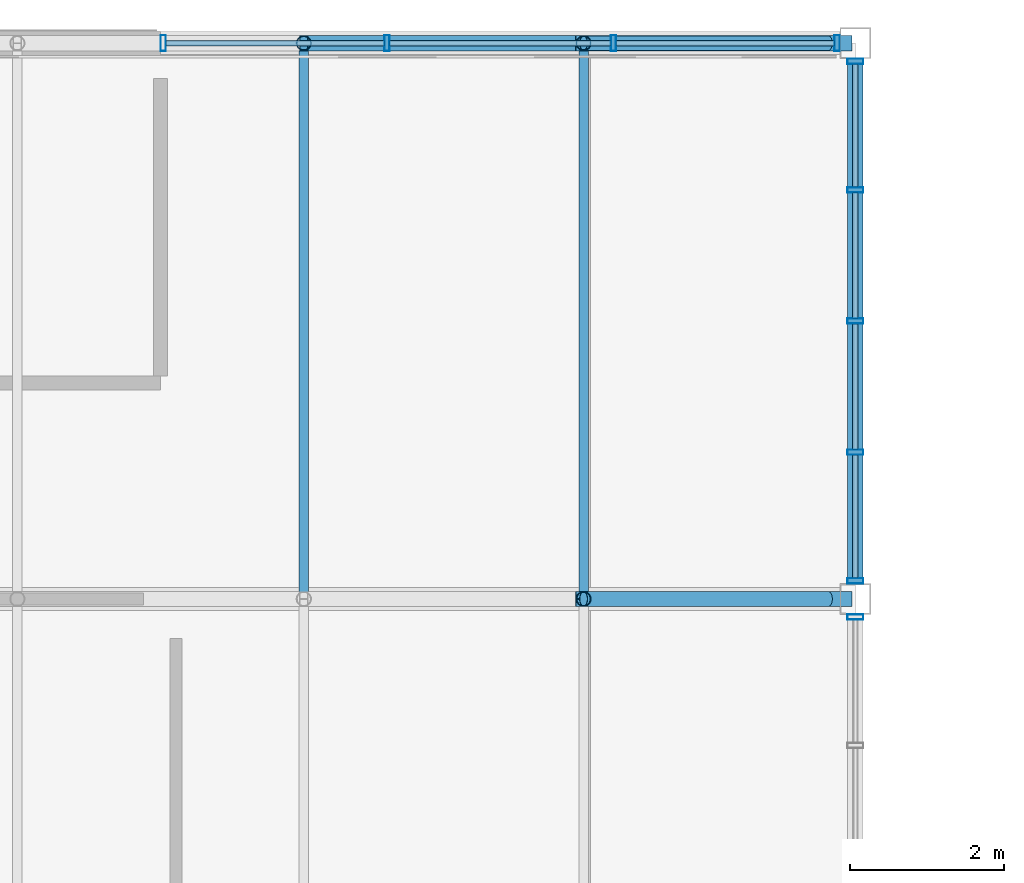
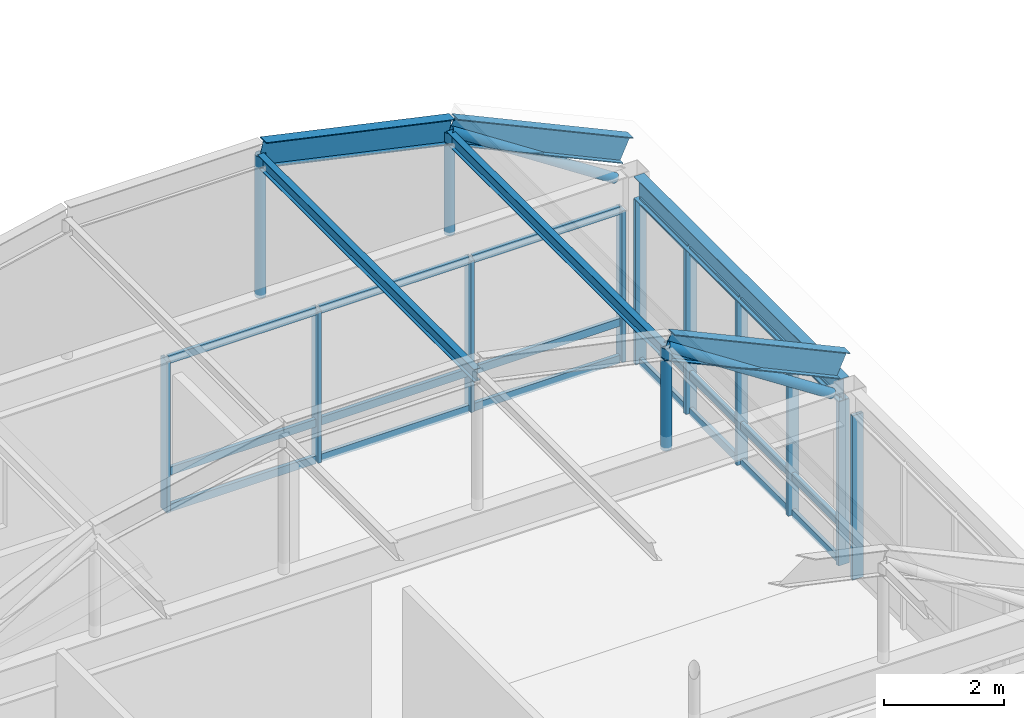
# One storey, part 69 of 106: 41 members, 1 beam, 3 elements without a shape of their own.
"""IFC4 building model written with IfcOpenShell, lengths in metres."""

from ifc_helpers import new_model, si_unit, direction, frame, origin, origin_2d, place, context, subcontext, project, spatial, hollow_rectangle, hollow_circle, i_section, extrude, material, material_profile, profile_set, type_object, element, aggregate, save


model = new_model("IFC4")

# Units and contexts
model_context = context("Model", 3, precision=1e-05, world=origin(), true_north=direction((0.0, 1.0)))
body_context = subcontext(model_context, "Body", "Model", "MODEL_VIEW")
ifc_project = project(units=[si_unit("LENGTHUNIT", "METRE"), si_unit("AREAUNIT", "SQUARE_METRE"), si_unit("VOLUMEUNIT", "CUBIC_METRE"), si_unit("PLANEANGLEUNIT", "RADIAN"), si_unit("MASSUNIT", "GRAM", prefix="KILO")], contexts=[model_context])

# Site, building, storey
site_placement = place(None, origin())
site = spatial("IfcSite", under=ifc_project, at=site_placement, CompositionType="ELEMENT")
building_placement = place(site_placement, origin())
building = spatial("IfcBuilding", under=site, at=building_placement, Name="Kazanami Central Library", CompositionType="ELEMENT")
storey_placement = place(building_placement, frame((0.0, 0.0, 12.800048828125)))
storey = spatial("IfcBuildingStorey", under=building, at=storey_placement, Name="L04", CompositionType="ELEMENT", Elevation=12.800048828125)

# Beam
ifc_material_1 = material(Name="Steel SN490B (325 MPa)", Category="steel")
ifc_material_profile_1 = material_profile(ifc_material_1, i_section(OverallWidth=0.199951171875, OverallDepth=0.449951171875, WebThickness=0.009033203125, FlangeThickness=0.013916015625, at=origin_2d()), Name="H-450x200x9x14")
ifc_profile_set_1 = profile_set([ifc_material_profile_1], Name="Steel SN490B (325 MPa)")
beam_type = type_object("IfcBeamType", Name="BM-SP-2", PredefinedType="SPANDREL", material=ifc_profile_set_1)
beam_placement = place(storey_placement, frame((108.0, 86.597900390625, 3.554931640625), z_axis=(0.0, 1.0, 0.0), x_axis=(-1.0, 0.0, 0.0)))
element("IfcBeam", 1, at=beam_placement, inside=storey, type_object=beam_type, Name="Girder SP-2 L04 13/N-O", PredefinedType="SPANDREL", context=body_context, shape_type="SweptSolid", body=[
    extrude(i_section(OverallWidth=0.199951171875, OverallDepth=0.449951171875, WebThickness=0.009033203125, FlangeThickness=0.013916015625, at=origin_2d()), origin(), (0.0, 0.0, 1.0), 6.80419921875),
])

# Members
ifc_material_profile_2 = material_profile(ifc_material_1, i_section(OverallWidth=0.199951171875, OverallDepth=0.5, WebThickness=0.010009765625, FlangeThickness=0.01611328125, at=origin_2d()), Name="H-500x200x10x16")
ifc_profile_set_2 = profile_set([ifc_material_profile_2], Name="Steel SN490B (325 MPa)")
member_type_1 = type_object("IfcMemberType", Name="MEM-AR-02", PredefinedType="CHORD", material=ifc_profile_set_2)
for number, where, z_axis, x_axis, name in (
    (2, (104.480224609375, 86.39990234375, 5.80908203125), (0.908074880538, 0.0, -0.41880784536), (0.0, 1.0, 0.0), "Barrel Vault Arch Rib AR-02 VAULT-EAST Grid N Seg 5"),
    (3, (100.85546875, 93.60009765625, 6.604736328125), (0.976745687277, 0.0, -0.214401171606), (0.0, 1.0, 0.0), "Barrel Vault Arch Rib AR-02 VAULT-EAST Grid O Seg 4"),
    (4, (104.480224609375, 93.60009765625, 5.80908203125), (0.908074880538, 0.0, -0.41880784536), (0.0, 1.0, 0.0), "Barrel Vault Arch Rib AR-02 VAULT-EAST Grid O Seg 5"),
):
    element("IfcMember", number, at=place(storey_placement, frame(where, z_axis=z_axis, x_axis=x_axis)), inside=storey, type_object=member_type_1, Name=name, PredefinedType="CHORD", context=body_context, shape_type="SweptSolid", body=[
        extrude(i_section(OverallWidth=0.199951171875, OverallDepth=0.5, WebThickness=0.010009765625, FlangeThickness=0.01611328125, at=origin_2d()), origin(), (0.0, 0.0, 1.0), 3.7109375),
    ])

# Curtain wall, members
ifc_material_2 = material(Name="Acid-Etched Low-E Laminated Glass", Category="glass")
curtain_wall_type_1 = type_object("IfcCurtainWallType", Name="CW-8800x3080-M275", PredefinedType="USERDEFINED", material=ifc_material_2)
curtain_wall_1_placement = place(storey_placement, origin())
curtain_wall_1 = element("IfcCurtainWall", 5, at=curtain_wall_1_placement, inside=storey, type_object=curtain_wall_type_1, Name="Unitised Curtain Wall CW-42 L04 N-O-11", ObjectType="UNITISED CURTAIN WALL", PredefinedType="USERDEFINED")
ifc_material_3 = material(Name="Anodised Aluminium A6063-T5", Category="aluminium")
ifc_material_profile_3 = material_profile(ifc_material_3, hollow_rectangle(XDim=0.070068359375, YDim=0.2099609375, WallThickness=0.0048828125, at=origin_2d()), Name="ALU-MULL-70x210x5")
ifc_profile_set_3 = profile_set([ifc_material_profile_3], Name="Anodised Aluminium A6063-T5")
member_type_2 = type_object("IfcMemberType", Name="MEM-CW-M1", PredefinedType="MULLION", material=ifc_profile_set_3)
member_1_placement = place(storey_placement, frame((107.764892578125, 93.60009765625, 0.0), z_axis=(0.0, 0.0, 1.0), x_axis=(-1.0, 0.0, 0.0)))
member_1 = element("IfcMember", 6, at=member_1_placement, type_object=member_type_2, Name="CW-42 mullion 1", PredefinedType="MULLION", context=body_context, shape_type="SweptSolid", body=[
    extrude(hollow_rectangle(XDim=0.070068359375, YDim=0.2099609375, WallThickness=0.0048828125, at=origin_2d()), origin(), (0.0, 0.0, 1.0), 3.079833984375),
])
member_2_placement = place(storey_placement, frame((104.86669921875, 93.60009765625, 0.0), z_axis=(0.0, 0.0, 1.0), x_axis=(-1.0, 0.0, 0.0)))
member_2 = element("IfcMember", 7, at=member_2_placement, type_object=member_type_2, Name="CW-42 mullion 2", PredefinedType="MULLION", context=body_context, shape_type="SweptSolid", body=[
    extrude(hollow_rectangle(XDim=0.070068359375, YDim=0.2099609375, WallThickness=0.0048828125, at=origin_2d()), origin(), (0.0, 0.0, 1.0), 3.079833984375),
])
member_3_placement = place(storey_placement, frame((101.933349609375, 93.60009765625, 0.0), z_axis=(0.0, 0.0, 1.0), x_axis=(-1.0, 0.0, 0.0)))
member_3 = element("IfcMember", 8, at=member_3_placement, type_object=member_type_2, Name="CW-42 mullion 3", PredefinedType="MULLION", context=body_context, shape_type="SweptSolid", body=[
    extrude(hollow_rectangle(XDim=0.070068359375, YDim=0.2099609375, WallThickness=0.0048828125, at=origin_2d()), origin(), (0.0, 0.0, 1.0), 3.079833984375),
])
member_4_placement = place(storey_placement, frame((99.034912109375, 93.60009765625, 0.0), z_axis=(0.0, 0.0, 1.0), x_axis=(-1.0, 0.0, 0.0)))
member_4 = element("IfcMember", 9, at=member_4_placement, type_object=member_type_2, Name="CW-42 mullion 4", PredefinedType="MULLION", context=body_context, shape_type="SweptSolid", body=[
    extrude(hollow_rectangle(XDim=0.070068359375, YDim=0.2099609375, WallThickness=0.0048828125, at=origin_2d()), origin(), (0.0, 0.0, 1.0), 3.079833984375),
])

# Curtain wall, member
curtain_wall_type_2 = type_object("IfcCurtainWallType", Name="CW-6800x3330-M180", PredefinedType="USERDEFINED", material=ifc_material_2)
curtain_wall_2_placement = place(storey_placement, origin())
curtain_wall_2 = element("IfcCurtainWall", 10, at=curtain_wall_2_placement, inside=storey, type_object=curtain_wall_type_2, Name="Covered Link Bridge Curtain Wall CW-44 L04 E-13-11", ObjectType="UNITISED CURTAIN WALL", PredefinedType="USERDEFINED")
member_5_placement = place(storey_placement, frame((108.0, 86.1650390625, 0.0), z_axis=(0.0, 0.0, 1.0), x_axis=(0.0, -1.0, 0.0)))
member_5 = element("IfcMember", 11, at=member_5_placement, type_object=member_type_2, Name="CW-44 mullion 1", PredefinedType="MULLION", context=body_context, shape_type="SweptSolid", body=[
    extrude(hollow_rectangle(XDim=0.070068359375, YDim=0.2099609375, WallThickness=0.0048828125, at=origin_2d()), origin(), (0.0, 0.0, 1.0), 3.329833984375),
])
aggregate(curtain_wall_2, [member_5])

# Curtain wall, members
curtain_wall_3_placement = place(storey_placement, origin())
curtain_wall_3 = element("IfcCurtainWall", 12, at=curtain_wall_3_placement, inside=storey, type_object=curtain_wall_type_2, Name="Covered Link Bridge Curtain Wall CW-44 L04 E-13-12", ObjectType="UNITISED CURTAIN WALL", PredefinedType="USERDEFINED")
member_6_placement = place(storey_placement, frame((108.0, 93.364990234375, 0.0), z_axis=(0.0, 0.0, 1.0), x_axis=(0.0, -1.0, 0.0)))
member_6 = element("IfcMember", 13, at=member_6_placement, type_object=member_type_2, Name="CW-44 mullion 1", PredefinedType="MULLION", context=body_context, shape_type="SweptSolid", body=[
    extrude(hollow_rectangle(XDim=0.070068359375, YDim=0.2099609375, WallThickness=0.0048828125, at=origin_2d()), origin(), (0.0, 0.0, 1.0), 3.329833984375),
])
member_7_placement = place(storey_placement, frame((108.0, 91.699951171875, 0.0), z_axis=(0.0, 0.0, 1.0), x_axis=(0.0, -1.0, 0.0)))
member_7 = element("IfcMember", 14, at=member_7_placement, type_object=member_type_2, Name="CW-44 mullion 2", PredefinedType="MULLION", context=body_context, shape_type="SweptSolid", body=[
    extrude(hollow_rectangle(XDim=0.070068359375, YDim=0.2099609375, WallThickness=0.0048828125, at=origin_2d()), origin(), (0.0, 0.0, 1.0), 3.329833984375),
])
member_8_placement = place(storey_placement, frame((108.0, 90.0, 0.0), z_axis=(0.0, 0.0, 1.0), x_axis=(0.0, -1.0, 0.0)))
member_8 = element("IfcMember", 15, at=member_8_placement, type_object=member_type_2, Name="CW-44 mullion 3", PredefinedType="MULLION", context=body_context, shape_type="SweptSolid", body=[
    extrude(hollow_rectangle(XDim=0.070068359375, YDim=0.2099609375, WallThickness=0.0048828125, at=origin_2d()), origin(), (0.0, 0.0, 1.0), 3.329833984375),
])
member_9_placement = place(storey_placement, frame((108.0, 88.300048828125, 0.0), z_axis=(0.0, 0.0, 1.0), x_axis=(0.0, -1.0, 0.0)))
member_9 = element("IfcMember", 16, at=member_9_placement, type_object=member_type_2, Name="CW-44 mullion 4", PredefinedType="MULLION", context=body_context, shape_type="SweptSolid", body=[
    extrude(hollow_rectangle(XDim=0.070068359375, YDim=0.2099609375, WallThickness=0.0048828125, at=origin_2d()), origin(), (0.0, 0.0, 1.0), 3.329833984375),
])
member_10_placement = place(storey_placement, frame((108.0, 86.635009765625, 0.0), z_axis=(0.0, 0.0, 1.0), x_axis=(0.0, -1.0, 0.0)))
member_10 = element("IfcMember", 17, at=member_10_placement, type_object=member_type_2, Name="CW-44 mullion 5", PredefinedType="MULLION", context=body_context, shape_type="SweptSolid", body=[
    extrude(hollow_rectangle(XDim=0.070068359375, YDim=0.2099609375, WallThickness=0.0048828125, at=origin_2d()), origin(), (0.0, 0.0, 1.0), 3.329833984375),
])

# Member
ifc_material_profile_4 = material_profile(ifc_material_3, hollow_rectangle(XDim=0.070068359375, YDim=0.159912109375, WallThickness=0.00390625, at=origin_2d()), Name="ALU-TRAN-70x160x4")
ifc_profile_set_4 = profile_set([ifc_material_profile_4], Name="Anodised Aluminium A6063-T5")
member_type_3 = type_object("IfcMemberType", Name="MEM-CW-T1", PredefinedType="USERDEFINED", material=ifc_profile_set_4)
member_11_placement = place(storey_placement, frame((107.72998046875, 93.60009765625, 0.034912109375), z_axis=(-1.0, 0.0, 0.0), x_axis=(0.0, -1.0, 0.0)))
member_11 = element("IfcMember", 18, at=member_11_placement, type_object=member_type_3, Name="CW-42 transom 1.1", ObjectType="TRANSOM", PredefinedType="USERDEFINED", context=body_context, shape_type="SweptSolid", body=[
    extrude(hollow_rectangle(XDim=0.070068359375, YDim=0.159912109375, WallThickness=0.00390625, at=origin_2d()), origin(), (0.0, 0.0, 1.0), 2.828369140625),
])

member_12_placement = place(storey_placement, frame((107.72998046875, 93.60009765625, 0.780029296875), z_axis=(-1.0, 0.0, 0.0), x_axis=(0.0, -1.0, 0.0)))
member_12 = element("IfcMember", 19, at=member_12_placement, type_object=member_type_3, Name="CW-42 transom 1.2", ObjectType="TRANSOM", PredefinedType="USERDEFINED", context=body_context, shape_type="SweptSolid", body=[
    extrude(hollow_rectangle(XDim=0.070068359375, YDim=0.159912109375, WallThickness=0.00390625, at=origin_2d()), origin(), (0.0, 0.0, 1.0), 2.828369140625),
])

member_13_placement = place(storey_placement, frame((107.72998046875, 93.60009765625, 3.044921875), z_axis=(-1.0, 0.0, 0.0), x_axis=(0.0, -1.0, 0.0)))
member_13 = element("IfcMember", 20, at=member_13_placement, type_object=member_type_3, Name="CW-42 transom 1.3", ObjectType="TRANSOM", PredefinedType="USERDEFINED", context=body_context, shape_type="SweptSolid", body=[
    extrude(hollow_rectangle(XDim=0.070068359375, YDim=0.159912109375, WallThickness=0.00390625, at=origin_2d()), origin(), (0.0, 0.0, 1.0), 2.828369140625),
])

member_14_placement = place(storey_placement, frame((104.831787109375, 93.60009765625, 0.034912109375), z_axis=(-1.0, 0.0, 0.0), x_axis=(0.0, -1.0, 0.0)))
member_14 = element("IfcMember", 21, at=member_14_placement, type_object=member_type_3, Name="CW-42 transom 2.1", ObjectType="TRANSOM", PredefinedType="USERDEFINED", context=body_context, shape_type="SweptSolid", body=[
    extrude(hollow_rectangle(XDim=0.070068359375, YDim=0.159912109375, WallThickness=0.00390625, at=origin_2d()), origin(), (0.0, 0.0, 1.0), 2.863525390625),
])

member_15_placement = place(storey_placement, frame((104.831787109375, 93.60009765625, 0.780029296875), z_axis=(-1.0, 0.0, 0.0), x_axis=(0.0, -1.0, 0.0)))
member_15 = element("IfcMember", 22, at=member_15_placement, type_object=member_type_3, Name="CW-42 transom 2.2", ObjectType="TRANSOM", PredefinedType="USERDEFINED", context=body_context, shape_type="SweptSolid", body=[
    extrude(hollow_rectangle(XDim=0.070068359375, YDim=0.159912109375, WallThickness=0.00390625, at=origin_2d()), origin(), (0.0, 0.0, 1.0), 2.863525390625),
])

member_16_placement = place(storey_placement, frame((104.831787109375, 93.60009765625, 3.044921875), z_axis=(-1.0, 0.0, 0.0), x_axis=(0.0, -1.0, 0.0)))
member_16 = element("IfcMember", 23, at=member_16_placement, type_object=member_type_3, Name="CW-42 transom 2.3", ObjectType="TRANSOM", PredefinedType="USERDEFINED", context=body_context, shape_type="SweptSolid", body=[
    extrude(hollow_rectangle(XDim=0.070068359375, YDim=0.159912109375, WallThickness=0.00390625, at=origin_2d()), origin(), (0.0, 0.0, 1.0), 2.863525390625),
])

member_17_placement = place(storey_placement, frame((101.8984375, 93.60009765625, 0.034912109375), z_axis=(-1.0, 0.0, 0.0), x_axis=(0.0, -1.0, 0.0)))
member_17 = element("IfcMember", 24, at=member_17_placement, type_object=member_type_3, Name="CW-42 transom 3.1", ObjectType="TRANSOM", PredefinedType="USERDEFINED", context=body_context, shape_type="SweptSolid", body=[
    extrude(hollow_rectangle(XDim=0.070068359375, YDim=0.159912109375, WallThickness=0.00390625, at=origin_2d()), origin(), (0.0, 0.0, 1.0), 2.828369140625),
])

member_18_placement = place(storey_placement, frame((101.8984375, 93.60009765625, 0.780029296875), z_axis=(-1.0, 0.0, 0.0), x_axis=(0.0, -1.0, 0.0)))
member_18 = element("IfcMember", 25, at=member_18_placement, type_object=member_type_3, Name="CW-42 transom 3.2", ObjectType="TRANSOM", PredefinedType="USERDEFINED", context=body_context, shape_type="SweptSolid", body=[
    extrude(hollow_rectangle(XDim=0.070068359375, YDim=0.159912109375, WallThickness=0.00390625, at=origin_2d()), origin(), (0.0, 0.0, 1.0), 2.828369140625),
])

member_19_placement = place(storey_placement, frame((101.8984375, 93.60009765625, 3.044921875), z_axis=(-1.0, 0.0, 0.0), x_axis=(0.0, -1.0, 0.0)))
member_19 = element("IfcMember", 26, at=member_19_placement, type_object=member_type_3, Name="CW-42 transom 3.3", ObjectType="TRANSOM", PredefinedType="USERDEFINED", context=body_context, shape_type="SweptSolid", body=[
    extrude(hollow_rectangle(XDim=0.070068359375, YDim=0.159912109375, WallThickness=0.00390625, at=origin_2d()), origin(), (0.0, 0.0, 1.0), 2.828369140625),
])

aggregate(curtain_wall_1, [member_1, member_2, member_3, member_4, member_11, member_12, member_13, member_14, member_15, member_16, member_17, member_18, member_19])

member_20_placement = place(storey_placement, frame((108.0, 93.330078125, 0.034912109375), z_axis=(0.0, -1.0, 0.0), x_axis=(1.0, 0.0, 0.0)))
member_20 = element("IfcMember", 27, at=member_20_placement, type_object=member_type_3, Name="CW-44 transom 1.1", ObjectType="TRANSOM", PredefinedType="USERDEFINED", context=body_context, shape_type="SweptSolid", body=[
    extrude(hollow_rectangle(XDim=0.070068359375, YDim=0.159912109375, WallThickness=0.00390625, at=origin_2d()), origin(), (0.0, 0.0, 1.0), 1.594970703125),
])

member_21_placement = place(storey_placement, frame((108.0, 93.330078125, 0.780029296875), z_axis=(0.0, -1.0, 0.0), x_axis=(1.0, 0.0, 0.0)))
member_21 = element("IfcMember", 28, at=member_21_placement, type_object=member_type_3, Name="CW-44 transom 1.2", ObjectType="TRANSOM", PredefinedType="USERDEFINED", context=body_context, shape_type="SweptSolid", body=[
    extrude(hollow_rectangle(XDim=0.070068359375, YDim=0.159912109375, WallThickness=0.00390625, at=origin_2d()), origin(), (0.0, 0.0, 1.0), 1.594970703125),
])

member_22_placement = place(storey_placement, frame((108.0, 93.330078125, 3.294921875), z_axis=(0.0, -1.0, 0.0), x_axis=(1.0, 0.0, 0.0)))
member_22 = element("IfcMember", 29, at=member_22_placement, type_object=member_type_3, Name="CW-44 transom 1.3", ObjectType="TRANSOM", PredefinedType="USERDEFINED", context=body_context, shape_type="SweptSolid", body=[
    extrude(hollow_rectangle(XDim=0.070068359375, YDim=0.159912109375, WallThickness=0.00390625, at=origin_2d()), origin(), (0.0, 0.0, 1.0), 1.594970703125),
])

member_23_placement = place(storey_placement, frame((108.0, 91.6650390625, 0.034912109375), z_axis=(0.0, -1.0, 0.0), x_axis=(1.0, 0.0, 0.0)))
member_23 = element("IfcMember", 30, at=member_23_placement, type_object=member_type_3, Name="CW-44 transom 2.1", ObjectType="TRANSOM", PredefinedType="USERDEFINED", context=body_context, shape_type="SweptSolid", body=[
    extrude(hollow_rectangle(XDim=0.070068359375, YDim=0.159912109375, WallThickness=0.00390625, at=origin_2d()), origin(), (0.0, 0.0, 1.0), 1.630126953125),
])

member_24_placement = place(storey_placement, frame((108.0, 91.6650390625, 0.780029296875), z_axis=(0.0, -1.0, 0.0), x_axis=(1.0, 0.0, 0.0)))
member_24 = element("IfcMember", 31, at=member_24_placement, type_object=member_type_3, Name="CW-44 transom 2.2", ObjectType="TRANSOM", PredefinedType="USERDEFINED", context=body_context, shape_type="SweptSolid", body=[
    extrude(hollow_rectangle(XDim=0.070068359375, YDim=0.159912109375, WallThickness=0.00390625, at=origin_2d()), origin(), (0.0, 0.0, 1.0), 1.630126953125),
])

member_25_placement = place(storey_placement, frame((108.0, 91.6650390625, 3.294921875), z_axis=(0.0, -1.0, 0.0), x_axis=(1.0, 0.0, 0.0)))
member_25 = element("IfcMember", 32, at=member_25_placement, type_object=member_type_3, Name="CW-44 transom 2.3", ObjectType="TRANSOM", PredefinedType="USERDEFINED", context=body_context, shape_type="SweptSolid", body=[
    extrude(hollow_rectangle(XDim=0.070068359375, YDim=0.159912109375, WallThickness=0.00390625, at=origin_2d()), origin(), (0.0, 0.0, 1.0), 1.630126953125),
])

member_26_placement = place(storey_placement, frame((108.0, 89.965087890625, 0.034912109375), z_axis=(0.0, -1.0, 0.0), x_axis=(1.0, 0.0, 0.0)))
member_26 = element("IfcMember", 33, at=member_26_placement, type_object=member_type_3, Name="CW-44 transom 3.1", ObjectType="TRANSOM", PredefinedType="USERDEFINED", context=body_context, shape_type="SweptSolid", body=[
    extrude(hollow_rectangle(XDim=0.070068359375, YDim=0.159912109375, WallThickness=0.00390625, at=origin_2d()), origin(), (0.0, 0.0, 1.0), 1.630126953125),
])

member_27_placement = place(storey_placement, frame((108.0, 89.965087890625, 0.780029296875), z_axis=(0.0, -1.0, 0.0), x_axis=(1.0, 0.0, 0.0)))
member_27 = element("IfcMember", 34, at=member_27_placement, type_object=member_type_3, Name="CW-44 transom 3.2", ObjectType="TRANSOM", PredefinedType="USERDEFINED", context=body_context, shape_type="SweptSolid", body=[
    extrude(hollow_rectangle(XDim=0.070068359375, YDim=0.159912109375, WallThickness=0.00390625, at=origin_2d()), origin(), (0.0, 0.0, 1.0), 1.630126953125),
])

member_28_placement = place(storey_placement, frame((108.0, 89.965087890625, 3.294921875), z_axis=(0.0, -1.0, 0.0), x_axis=(1.0, 0.0, 0.0)))
member_28 = element("IfcMember", 35, at=member_28_placement, type_object=member_type_3, Name="CW-44 transom 3.3", ObjectType="TRANSOM", PredefinedType="USERDEFINED", context=body_context, shape_type="SweptSolid", body=[
    extrude(hollow_rectangle(XDim=0.070068359375, YDim=0.159912109375, WallThickness=0.00390625, at=origin_2d()), origin(), (0.0, 0.0, 1.0), 1.630126953125),
])

member_29_placement = place(storey_placement, frame((108.0, 88.264892578125, 0.034912109375), z_axis=(0.0, -1.0, 0.0), x_axis=(1.0, 0.0, 0.0)))
member_29 = element("IfcMember", 36, at=member_29_placement, type_object=member_type_3, Name="CW-44 transom 4.1", ObjectType="TRANSOM", PredefinedType="USERDEFINED", context=body_context, shape_type="SweptSolid", body=[
    extrude(hollow_rectangle(XDim=0.070068359375, YDim=0.159912109375, WallThickness=0.00390625, at=origin_2d()), origin(), (0.0, 0.0, 1.0), 1.594970703125),
])

member_30_placement = place(storey_placement, frame((108.0, 88.264892578125, 0.780029296875), z_axis=(0.0, -1.0, 0.0), x_axis=(1.0, 0.0, 0.0)))
member_30 = element("IfcMember", 37, at=member_30_placement, type_object=member_type_3, Name="CW-44 transom 4.2", ObjectType="TRANSOM", PredefinedType="USERDEFINED", context=body_context, shape_type="SweptSolid", body=[
    extrude(hollow_rectangle(XDim=0.070068359375, YDim=0.159912109375, WallThickness=0.00390625, at=origin_2d()), origin(), (0.0, 0.0, 1.0), 1.594970703125),
])

member_31_placement = place(storey_placement, frame((108.0, 88.264892578125, 3.294921875), z_axis=(0.0, -1.0, 0.0), x_axis=(1.0, 0.0, 0.0)))
member_31 = element("IfcMember", 38, at=member_31_placement, type_object=member_type_3, Name="CW-44 transom 4.3", ObjectType="TRANSOM", PredefinedType="USERDEFINED", context=body_context, shape_type="SweptSolid", body=[
    extrude(hollow_rectangle(XDim=0.070068359375, YDim=0.159912109375, WallThickness=0.00390625, at=origin_2d()), origin(), (0.0, 0.0, 1.0), 1.594970703125),
])

aggregate(curtain_wall_3, [member_6, member_7, member_8, member_9, member_10, member_20, member_21, member_22, member_23, member_24, member_25, member_26, member_27, member_28, member_29, member_30, member_31])

# Members
ifc_material_4 = material(Name="Steel SN400B (235 MPa)", Category="steel")
ifc_material_profile_5 = material_profile(ifc_material_4, i_section(OverallWidth=0.125, OverallDepth=0.25, WebThickness=0.006103515625, FlangeThickness=0.009033203125, at=origin_2d()), Name="H-250x125x6x9")
ifc_profile_set_5 = profile_set([ifc_material_profile_5], Name="Steel SN400B (235 MPa)")
member_type_4 = type_object("IfcMemberType", Name="MEM-PUR-250", PredefinedType="PURLIN", material=ifc_profile_set_5)
for number, where, z_axis, x_axis, name in (
    (39, (100.85546875, 86.405029296875, 6.464599609375), (0.0, 1.0, 0.0), (-1.0, 0.0, 0.0), "Barrel Vault Longitudinal Purlin VAULT-EAST Knuckle 3.4"),
    (40, (104.480224609375, 86.405029296875, 5.669189453125), (0.0, 1.0, 0.0), (-1.0, 0.0, 0.0), "Barrel Vault Longitudinal Purlin VAULT-EAST Knuckle 4.4"),
):
    element("IfcMember", number, at=place(storey_placement, frame(where, z_axis=z_axis, x_axis=x_axis)), inside=storey, type_object=member_type_4, Name=name, PredefinedType="PURLIN", context=body_context, shape_type="SweptSolid", body=[
        extrude(i_section(OverallWidth=0.125, OverallDepth=0.25, WebThickness=0.006103515625, FlangeThickness=0.009033203125, at=origin_2d()), origin(), (0.0, 0.0, 1.0), 7.18994140625),
    ])
ifc_material_5 = material(Name="Steel STK490 (315 MPa)", Category="steel")
ifc_material_profile_6 = material_profile(ifc_material_5, hollow_circle(Radius=0.095458984375, WallThickness=0.007080078125, at=origin_2d()), Name="CHS-190.7x7.0")
ifc_profile_set_6 = profile_set([ifc_material_profile_6], Name="Steel STK490 (315 MPa)")
member_type_5 = type_object("IfcMemberType", Name="MEM-VST-190", PredefinedType="STRUT", material=ifc_profile_set_6)
member_32_placement = place(storey_placement, frame((104.480224609375, 86.39990234375, 3.71484375), z_axis=(0.0, 0.0, 1.0), x_axis=(1.0, 0.0, 0.0)))
element("IfcMember", 41, at=member_32_placement, inside=storey, type_object=member_type_5, Name="Barrel Vault Tied-Arch Web Strut VAULT-EAST Grid N Knuckle 4", PredefinedType="STRUT", context=body_context, shape_type="SweptSolid", body=[
    extrude(hollow_circle(Radius=0.095458984375, WallThickness=0.007080078125, at=origin_2d()), origin(), (0.0, 0.0, 1.0), 2.07421875),
])
member_33_placement = place(storey_placement, frame((107.64990234375, 86.39990234375, 3.71484375), z_axis=(-0.836759504137, 0.0, 0.547570572837), x_axis=(0.0, -1.0, 0.0)))
element("IfcMember", 42, at=member_33_placement, inside=storey, type_object=member_type_5, Name="Barrel Vault Tied-Arch Diagonal VAULT-EAST Grid N (R)", PredefinedType="BRACE", context=body_context, shape_type="SweptSolid", body=[
    extrude(hollow_circle(Radius=0.095458984375, WallThickness=0.007080078125, at=origin_2d()), origin(), (0.0, 0.0, 1.0), 3.7880859375),
])
member_34_placement = place(storey_placement, frame((100.85546875, 93.60009765625, 3.71484375), z_axis=(0.0, 0.0, 1.0), x_axis=(1.0, 0.0, 0.0)))
element("IfcMember", 43, at=member_34_placement, inside=storey, type_object=member_type_5, Name="Barrel Vault Tied-Arch Web Strut VAULT-EAST Grid O Knuckle 3", PredefinedType="STRUT", context=body_context, shape_type="SweptSolid", body=[
    extrude(hollow_circle(Radius=0.095458984375, WallThickness=0.007080078125, at=origin_2d()), origin(), (0.0, 0.0, 1.0), 2.869873046875),
])
member_35_placement = place(storey_placement, frame((104.480224609375, 93.60009765625, 3.71484375), z_axis=(0.0, 0.0, 1.0), x_axis=(1.0, 0.0, 0.0)))
element("IfcMember", 44, at=member_35_placement, inside=storey, type_object=member_type_5, Name="Barrel Vault Tied-Arch Web Strut VAULT-EAST Grid O Knuckle 4", PredefinedType="STRUT", context=body_context, shape_type="SweptSolid", body=[
    extrude(hollow_circle(Radius=0.095458984375, WallThickness=0.007080078125, at=origin_2d()), origin(), (0.0, 0.0, 1.0), 2.07421875),
])
member_36_placement = place(storey_placement, frame((107.64990234375, 93.60009765625, 3.71484375), z_axis=(-0.836759504137, 0.0, 0.547570572837), x_axis=(0.0, -1.0, 0.0)))
element("IfcMember", 45, at=member_36_placement, inside=storey, type_object=member_type_5, Name="Barrel Vault Tied-Arch Diagonal VAULT-EAST Grid O (R)", PredefinedType="BRACE", context=body_context, shape_type="SweptSolid", body=[
    extrude(hollow_circle(Radius=0.095458984375, WallThickness=0.007080078125, at=origin_2d()), origin(), (0.0, 0.0, 1.0), 3.7880859375),
])

save(model, "model.ifc")
